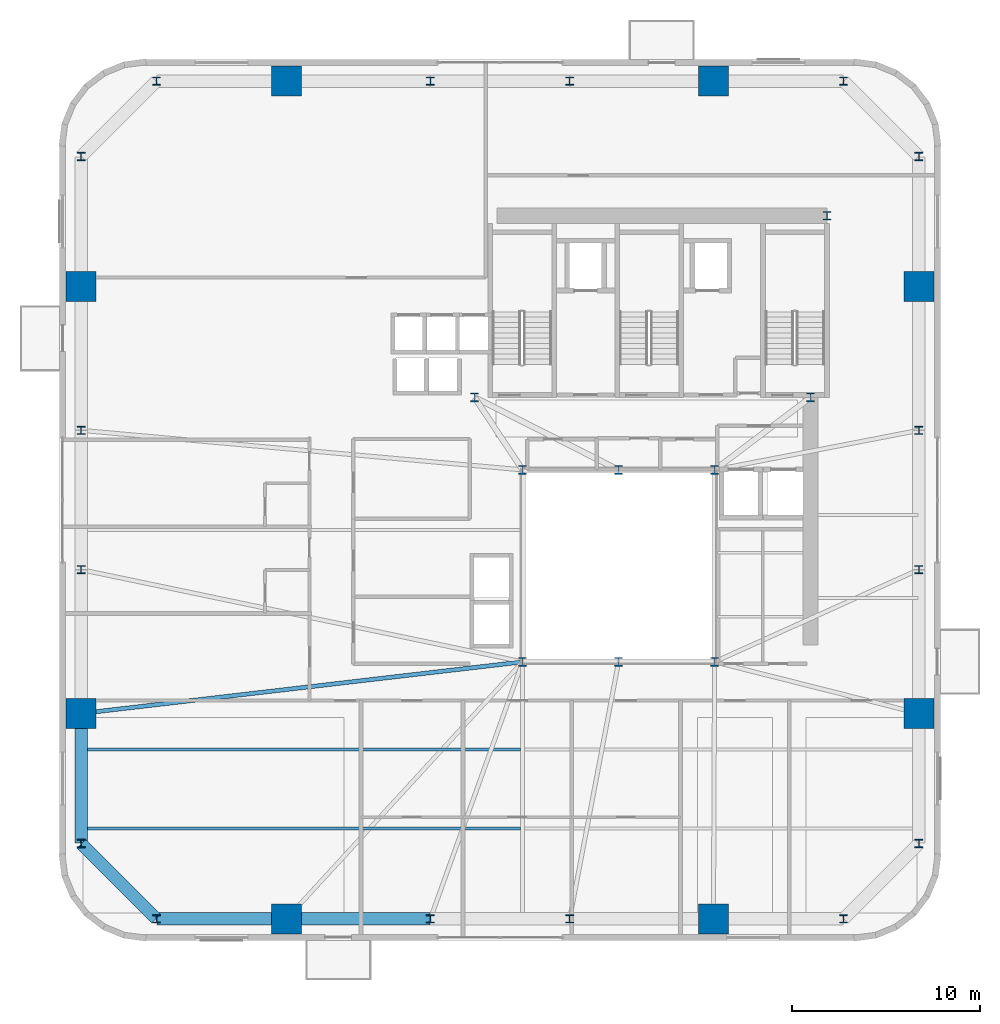
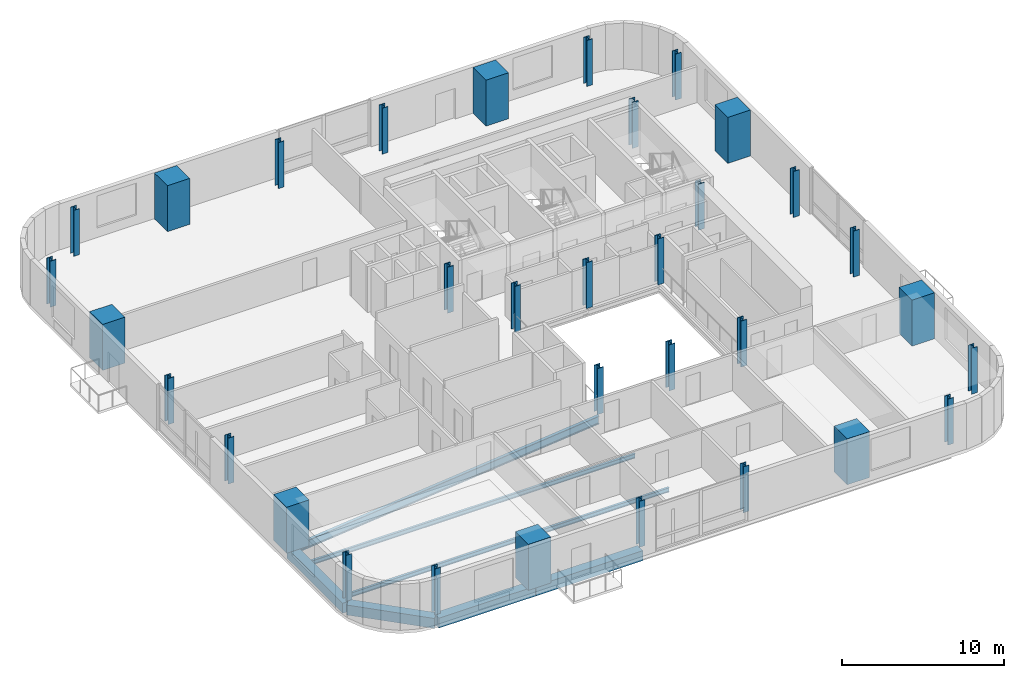
# One storey, part 1 of 14: 33 columns, 7 beams.
"""IFC4 building model written with IfcOpenShell, lengths in metres."""

from ifc_helpers import new_model, si_unit, direction, frame, origin, origin_2d, place, context, subcontext, project, spatial, rectangle, i_section, extrude, source, transform, mapped, material, material_profile, profile_set, type_object, element, save


model = new_model("IFC4")

# Units and contexts
model_context = context("Model", 3, precision=1e-05, world=origin(), true_north=direction((0.0, 1.0)))
body_context = subcontext(model_context, "Body", "Model", "MODEL_VIEW")
ifc_project = project(units=[si_unit("LENGTHUNIT", "METRE"), si_unit("AREAUNIT", "SQUARE_METRE"), si_unit("VOLUMEUNIT", "CUBIC_METRE"), si_unit("PLANEANGLEUNIT", "RADIAN"), si_unit("MASSUNIT", "GRAM", prefix="KILO")], contexts=[model_context])

# Site, building, storey
site_placement = place(None, origin())
site = spatial("IfcSite", under=ifc_project, at=site_placement, CompositionType="ELEMENT")
building_placement = place(site_placement, origin())
building = spatial("IfcBuilding", under=site, at=building_placement, Name="Vardaveli Station Tower", CompositionType="ELEMENT")
storey_placement = place(building_placement, frame((0.0, 0.0, 148.300048828125)))
storey = spatial("IfcBuildingStorey", under=building, at=storey_placement, Name="L38", CompositionType="ELEMENT", Elevation=148.300048828125)

# Columns
ifc_material_1 = material(Name="Structural steel S460M", Category="steel")
ifc_material_profile_1 = material_profile(ifc_material_1, i_section(OverallWidth=0.424072265625, OverallDepth=0.465087890625, WebThickness=0.034912109375, FlangeThickness=0.055908203125, FilletRadius=0.014892578125, at=origin_2d()), Name="HD 400x592")
ifc_profile_set_1 = profile_set([ifc_material_profile_1], Name="Structural steel S460M")
column_type_1 = type_object("IfcColumnType", Name="COL-HD592", PredefinedType="COLUMN", material=ifc_profile_set_1)
shared_shape_1 = source(origin(), body_context, "Body", "SweptSolid", [
    extrude(i_section(OverallWidth=0.424072265625, OverallDepth=0.465087890625, WebThickness=0.034912109375, FlangeThickness=0.055908203125, FilletRadius=0.014892578125, at=origin_2d()), origin(), (0.0, 0.0, 1.0), 3.4599609375),
])
for number, where, z_axis, x_axis, name in (
    (1, (31.199951171875, 16.60009765625, 0.0), (0.0, 0.0, 1.0), (1.0, 0.0, 0.0), "COL-L38-AC1"),
    (2, (36.300048828125, 16.60009765625, 0.0), (0.0, 0.0, 1.0), (1.0, 0.0, 0.0), "COL-L38-AC2"),
    (3, (41.39990234375, 16.60009765625, 0.0), (0.0, 0.0, 1.0), (1.0, 0.0, 0.0), "COL-L38-AC3"),
    (4, (41.39990234375, 26.800048828125, 0.0), (0.0, 0.0, 1.0), (1.0, 0.0, 0.0), "COL-L38-AC4"),
    (5, (36.300048828125, 26.800048828125, 0.0), (0.0, 0.0, 1.0), (1.0, 0.0, 0.0), "COL-L38-AC5"),
    (6, (31.199951171875, 26.800048828125, 0.0), (0.0, 0.0, 1.0), (1.0, 0.0, 0.0), "COL-L38-AC6"),
    (7, (28.64990234375, 30.64990234375, 0.0), (0.0, 0.0, 1.0), (1.0, 0.0, 0.0), "COL-L38-CC1"),
    (8, (46.5, 30.64990234375, 0.0), (0.0, 0.0, 1.0), (1.0, 0.0, 0.0), "COL-L38-CC2"),
    (9, (47.3701171875, 40.300048828125, 0.0), (0.0, 0.0, 1.0), (1.0, 0.0, 0.0), "COL-L38-CC3"),
):
    element("IfcColumn", number, at=place(storey_placement, frame(where, z_axis=z_axis, x_axis=x_axis)), inside=storey, type_object=column_type_1, Name=name, PredefinedType="COLUMN", context=body_context, shape_type="MappedRepresentation", body=[
        mapped(shared_shape_1, transform((0.0, 0.0, 0.0), scale=1.0)),
    ])
ifc_material_2 = material(Name="Concrete C60/75", Category="concrete")
ifc_material_profile_2 = material_profile(ifc_material_2, rectangle(XDim=1.60009765625, YDim=1.60009765625, at=origin_2d()), Name="MC 1600x1600")
ifc_profile_set_2 = profile_set([ifc_material_profile_2], Name="Concrete C60/75")
column_type_2 = type_object("IfcColumnType", Name="COL-MC-1600", PredefinedType="COLUMN", material=ifc_profile_set_2)
shared_shape_2 = source(origin(), body_context, "Body", "SweptSolid", [
    extrude(rectangle(XDim=1.60009765625, YDim=1.60009765625, at=origin_2d()), origin(), (0.0, 0.0, 1.0), 3.4599609375),
])
for number, where, z_axis, x_axis, name in (
    (10, (18.659912109375, 2.949951171875, 0.0), (0.0, 0.0, 1.0), (1.0, 0.0, 0.0), "COL-L38-MC1"),
    (11, (41.340087890625, 2.949951171875, 0.0), (0.0, 0.0, 1.0), (1.0, 0.0, 0.0), "COL-L38-MC2"),
    (12, (52.25, 13.860107421875, 0.0), (0.0, 0.0, 1.0), (1.0, 0.0, 0.0), "COL-L38-MC3"),
    (13, (52.25, 36.5400390625, 0.0), (0.0, 0.0, 1.0), (1.0, 0.0, 0.0), "COL-L38-MC4"),
    (14, (41.340087890625, 47.449951171875, 0.0), (0.0, 0.0, 1.0), (1.0, 0.0, 0.0), "COL-L38-MC5"),
    (15, (18.659912109375, 47.449951171875, 0.0), (0.0, 0.0, 1.0), (1.0, 0.0, 0.0), "COL-L38-MC6"),
    (16, (7.75, 36.5400390625, 0.0), (0.0, 0.0, 1.0), (1.0, 0.0, 0.0), "COL-L38-MC7"),
    (17, (7.75, 13.860107421875, 0.0), (0.0, 0.0, 1.0), (1.0, 0.0, 0.0), "COL-L38-MC8"),
):
    element("IfcColumn", number, at=place(storey_placement, frame(where, z_axis=z_axis, x_axis=x_axis)), inside=storey, type_object=column_type_2, Name=name, PredefinedType="COLUMN", context=body_context, shape_type="MappedRepresentation", body=[
        mapped(shared_shape_2, transform((0.0, 0.0, 0.0), scale=1.0)),
    ])
ifc_material_profile_3 = material_profile(ifc_material_1, i_section(OverallWidth=0.4140625, OverallDepth=0.431884765625, WebThickness=0.025634765625, FlangeThickness=0.0400390625, FilletRadius=0.014892578125, at=origin_2d()), Name="HD 400x421")
ifc_profile_set_3 = profile_set([ifc_material_profile_3], Name="Structural steel S460M")
column_type_3 = type_object("IfcColumnType", Name="COL-HD421", PredefinedType="COLUMN", material=ifc_profile_set_3)
shared_shape_3 = source(origin(), body_context, "Body", "SweptSolid", [
    extrude(i_section(OverallWidth=0.4140625, OverallDepth=0.431884765625, WebThickness=0.025634765625, FlangeThickness=0.0400390625, FilletRadius=0.014892578125, at=origin_2d()), origin(), (0.0, 0.0, 1.0), 3.4599609375),
])
for number, where, z_axis, x_axis, name in (
    (18, (11.75, 2.949951171875, 0.0), (0.0, 0.0, 1.0), (1.0, 0.0, 0.0), "COL-L38-PC01"),
    (19, (26.300048828125, 2.949951171875, 0.0), (0.0, 0.0, 1.0), (1.0, 0.0, 0.0), "COL-L38-PC02"),
    (20, (33.699951171875, 2.949951171875, 0.0), (0.0, 0.0, 1.0), (1.0, 0.0, 0.0), "COL-L38-PC03"),
    (21, (48.25, 2.949951171875, 0.0), (0.0, 0.0, 1.0), (1.0, 0.0, 0.0), "COL-L38-PC04"),
    (22, (52.25, 6.949951171875, 0.0), (0.0, 0.0, 1.0), (1.0, 0.0, 0.0), "COL-L38-PC05"),
    (23, (52.25, 21.5, 0.0), (0.0, 0.0, 1.0), (1.0, 0.0, 0.0), "COL-L38-PC06"),
    (24, (52.25, 28.89990234375, 0.0), (0.0, 0.0, 1.0), (1.0, 0.0, 0.0), "COL-L38-PC07"),
    (25, (52.25, 43.449951171875, 0.0), (0.0, 0.0, 1.0), (1.0, 0.0, 0.0), "COL-L38-PC08"),
    (26, (48.25, 47.449951171875, 0.0), (0.0, 0.0, 1.0), (1.0, 0.0, 0.0), "COL-L38-PC09"),
    (27, (33.699951171875, 47.449951171875, 0.0), (0.0, 0.0, 1.0), (1.0, 0.0, 0.0), "COL-L38-PC10"),
    (28, (26.300048828125, 47.449951171875, 0.0), (0.0, 0.0, 1.0), (1.0, 0.0, 0.0), "COL-L38-PC11"),
    (29, (11.75, 47.449951171875, 0.0), (0.0, 0.0, 1.0), (1.0, 0.0, 0.0), "COL-L38-PC12"),
    (30, (7.75, 43.449951171875, 0.0), (0.0, 0.0, 1.0), (1.0, 0.0, 0.0), "COL-L38-PC13"),
    (31, (7.75, 28.89990234375, 0.0), (0.0, 0.0, 1.0), (1.0, 0.0, 0.0), "COL-L38-PC14"),
    (32, (7.75, 21.5, 0.0), (0.0, 0.0, 1.0), (1.0, 0.0, 0.0), "COL-L38-PC15"),
    (33, (7.75, 6.949951171875, 0.0), (0.0, 0.0, 1.0), (1.0, 0.0, 0.0), "COL-L38-PC16"),
):
    element("IfcColumn", number, at=place(storey_placement, frame(where, z_axis=z_axis, x_axis=x_axis)), inside=storey, type_object=column_type_3, Name=name, PredefinedType="COLUMN", context=body_context, shape_type="MappedRepresentation", body=[
        mapped(shared_shape_3, transform((0.0, 0.0, 0.0), scale=1.0)),
    ])

# Beams
ifc_material_3 = material(Name="Precast concrete C45/55", Category="concrete")
ifc_material_profile_4 = material_profile(ifc_material_3, rectangle(XDim=0.64990234375, YDim=0.75, at=origin_2d()), Name="LPB 650x750")
ifc_profile_set_4 = profile_set([ifc_material_profile_4], Name="Precast concrete C45/55")
beam_type_1 = type_object("IfcBeamType", Name="BM-LPB-750", PredefinedType="BEAM", material=ifc_profile_set_4)
shared_shape_4 = source(origin(), body_context, "Body", "SweptSolid", [
    extrude(rectangle(XDim=0.64990234375, YDim=0.75, at=origin_2d()), origin(), (0.0, 0.0, 1.0), 7.60009765625),
])
beam_1_placement = place(storey_placement, frame((18.679931640625, 2.949951171875, -0.614990234375), z_axis=(1.0, 0.0, 0.0), x_axis=(0.0, 1.0, 0.0)))
element("IfcBeam", 34, at=beam_1_placement, inside=storey, type_object=beam_type_1, Name="RBM-L38-01", PredefinedType="BEAM", context=body_context, shape_type="MappedRepresentation", body=[
    mapped(shared_shape_4, transform((0.0, 0.0, 0.0), scale=1.0)),
])
shared_shape_5 = source(origin(), body_context, "Body", "SweptSolid", [
    extrude(rectangle(XDim=0.64990234375, YDim=0.75, at=origin_2d()), origin(), (0.0, 0.0, 1.0), 6.869873046875),
])
beam_2_placement = place(storey_placement, frame((11.77001953125, 2.949951171875, -0.614990234375), z_axis=(1.0, 0.0, 0.0), x_axis=(0.0, 1.0, 0.0)))
element("IfcBeam", 35, at=beam_2_placement, inside=storey, type_object=beam_type_1, Name="RBM-L38-24", PredefinedType="BEAM", context=body_context, shape_type="MappedRepresentation", body=[
    mapped(shared_shape_5, transform((0.0, 0.0, 0.0), scale=1.0)),
])
shared_shape_6 = source(origin(), body_context, "Body", "SweptSolid", [
    extrude(rectangle(XDim=0.64990234375, YDim=0.75, at=origin_2d()), origin(), (0.0, 0.0, 1.0), 5.61669921875),
])
beam_3_placement = place(storey_placement, frame((7.76416015625, 6.935791015625, -0.614990234375), z_axis=(0.707106781187, -0.707106781187, 0.0), x_axis=(0.707106781187, 0.707106781187, 0.0)))
element("IfcBeam", 36, at=beam_3_placement, inside=storey, type_object=beam_type_1, Name="RBM-L38-23", PredefinedType="BEAM", context=body_context, shape_type="MappedRepresentation", body=[
    mapped(shared_shape_6, transform((0.0, 0.0, 0.0), scale=1.0)),
])
shared_shape_7 = source(origin(), body_context, "Body", "SweptSolid", [
    extrude(rectangle(XDim=0.64990234375, YDim=0.75, at=origin_2d()), origin(), (0.0, 0.0, 1.0), 6.8701171875),
])
beam_4_placement = place(storey_placement, frame((7.75, 13.840087890625, -0.614990234375), z_axis=(0.0, -1.0, 0.0), x_axis=(1.0, 0.0, 0.0)))
element("IfcBeam", 37, at=beam_4_placement, inside=storey, type_object=beam_type_1, Name="RBM-L38-22", PredefinedType="BEAM", context=body_context, shape_type="MappedRepresentation", body=[
    mapped(shared_shape_7, transform((0.0, 0.0, 0.0), scale=1.0)),
])
ifc_material_4 = material(Name="Structural steel S355J2", Category="steel")
ifc_material_profile_5 = material_profile(ifc_material_4, i_section(OverallWidth=0.159912109375, OverallDepth=0.330078125, WebThickness=0.007568359375, FlangeThickness=0.011474609375, FilletRadius=0.01806640625, at=origin_2d()), Name="IPE 330")
ifc_profile_set_5 = profile_set([ifc_material_profile_5], Name="Structural steel S355J2")
beam_type_2 = type_object("IfcBeamType", Name="BM-IPE330", PredefinedType="JOIST", material=ifc_profile_set_5)
shared_shape_8 = source(origin(), body_context, "Body", "SweptSolid", [
    extrude(i_section(OverallWidth=0.159912109375, OverallDepth=0.330078125, WebThickness=0.007568359375, FlangeThickness=0.011474609375, FilletRadius=0.01806640625, at=origin_2d()), origin(), (0.0, 0.0, 1.0), 23.2978515625),
])
for number, where, z_axis, x_axis, name in (
    (38, (7.7900390625, 7.75, -0.405029296875), (1.0, 0.0, 0.0), (0.0, 1.0, 0.0), "SJ-L38-S01"),
    (39, (7.7900390625, 11.949951171875, -0.405029296875), (1.0, 0.0, 0.0), (0.0, 1.0, 0.0), "SJ-L38-S03"),
):
    element("IfcBeam", number, at=place(storey_placement, frame(where, z_axis=z_axis, x_axis=x_axis)), inside=storey, type_object=beam_type_2, Name=name, PredefinedType="JOIST", context=body_context, shape_type="MappedRepresentation", body=[
        mapped(shared_shape_8, transform((0.0, 0.0, 0.0), scale=1.0)),
    ])
ifc_material_profile_6 = material_profile(ifc_material_4, i_section(OverallWidth=0.219970703125, OverallDepth=0.60009765625, WebThickness=0.011962890625, FlangeThickness=0.01904296875, FilletRadius=0.02392578125, at=origin_2d()), Name="IPE 600")
ifc_profile_set_6 = profile_set([ifc_material_profile_6], Name="Structural steel S355J2")
beam_type_3 = type_object("IfcBeamType", Name="BM-IPE600", PredefinedType="BEAM", material=ifc_profile_set_6)
shared_shape_9 = source(origin(), body_context, "Body", "SweptSolid", [
    extrude(i_section(OverallWidth=0.219970703125, OverallDepth=0.60009765625, WebThickness=0.011962890625, FlangeThickness=0.01904296875, FilletRadius=0.02392578125, at=origin_2d()), origin(), (0.0, 0.0, 1.0), 23.569580078125),
])
beam_5_placement = place(storey_placement, frame((7.769775390625, 13.8623046875, -0.5400390625), z_axis=(0.993242915589, 0.11605391261, 0.0), x_axis=(-0.11605391261, 0.993242915589, 0.0)))
element("IfcBeam", 40, at=beam_5_placement, inside=storey, type_object=beam_type_3, Name="GBM-L38-10", PredefinedType="BEAM", context=body_context, shape_type="MappedRepresentation", body=[
    mapped(shared_shape_9, transform((0.0, 0.0, 0.0), scale=1.0)),
])

save(model, "model.ifc")
